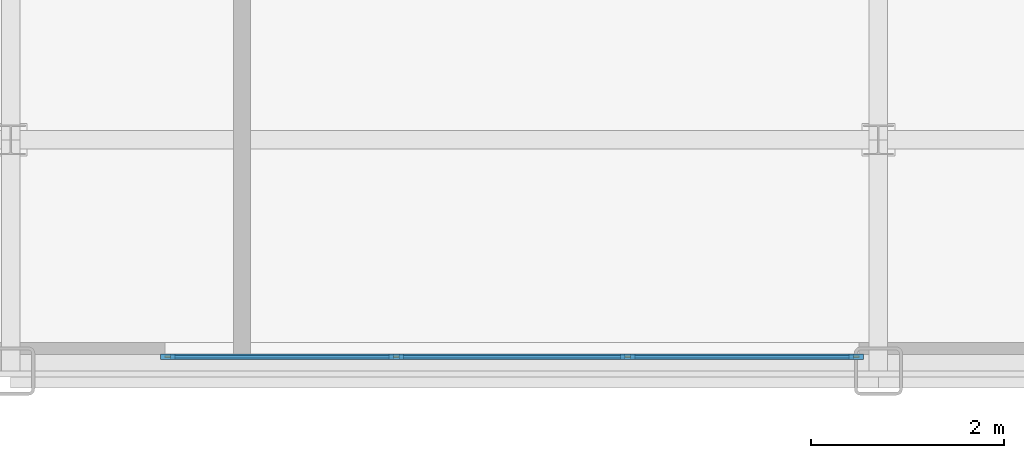
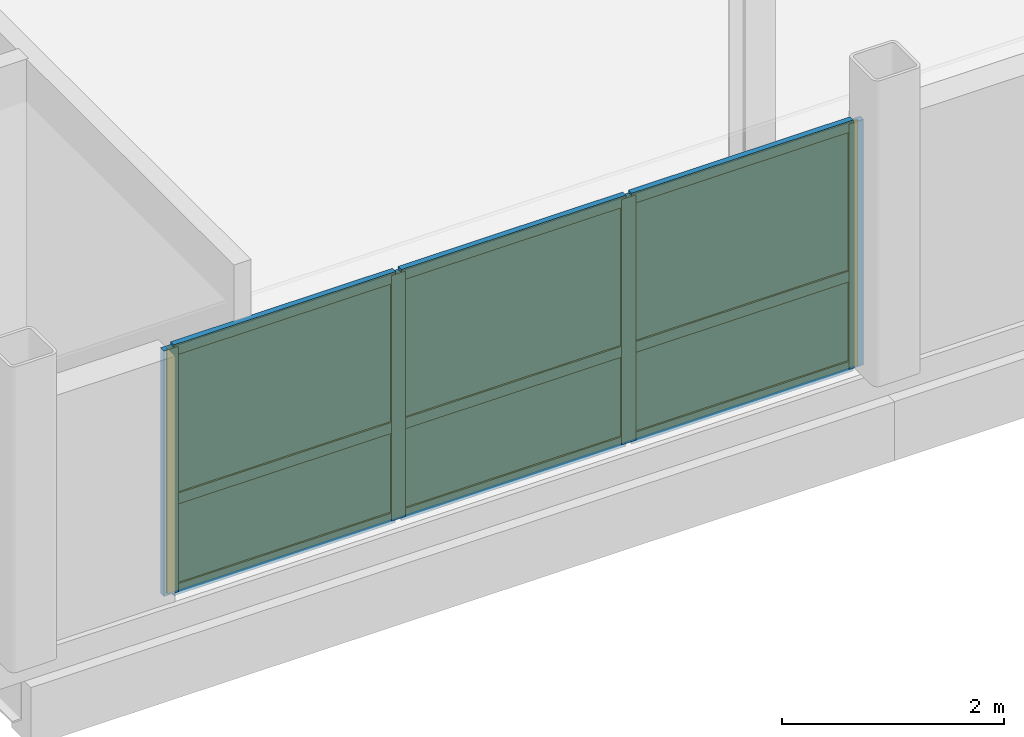
# One storey, part 9 of 16: 13 members, 6 plates, 1 curtain wall.
"""IFC4 building model written with IfcOpenShell, lengths in metres."""

from ifc_helpers import new_model, si_unit, direction, frame, frame_2d, origin, origin_2d, place, context, subcontext, project, spatial, rectangle, extrude, source, transform, mapped, material, layer, layer_set, material_profile, profile_set, type_object, type_shapes, element, aggregate, save


model = new_model("IFC4")

# Units and contexts
model_context = context("Model", 3, precision=1e-05, world=origin(), true_north=direction((0.0, 1.0)))
body_context = subcontext(model_context, "Body", "Model", "MODEL_VIEW")
ifc_project = project(units=[si_unit("LENGTHUNIT", "METRE"), si_unit("AREAUNIT", "SQUARE_METRE"), si_unit("VOLUMEUNIT", "CUBIC_METRE"), si_unit("PLANEANGLEUNIT", "RADIAN"), si_unit("MASSUNIT", "GRAM", prefix="KILO")], contexts=[model_context])

# Member
ifc_material_1 = material(Name="Anodised aluminium 6063-T6", Category="aluminium")
ifc_material_profile_1 = material_profile(ifc_material_1, rectangle(XDim=0.06005859375, YDim=0.14990234375, at=origin_2d()), Name="ALU-MULL-60x150")
ifc_profile_set_1 = profile_set([ifc_material_profile_1], Name="Anodised aluminium 6063-T6")
member_type_1 = type_object("IfcMemberType", Name="CWM-4", PredefinedType="MULLION", material=ifc_profile_set_1)
site_placement = place(None, origin())
building_placement = place(site_placement, origin())
storey_placement = place(building_placement, frame((0.0, 0.0, 227.39990234375)))
member_1_placement = place(storey_placement, frame((-7.3701171875, -19.25, 0.0), z_axis=(0.0, 0.0, 1.0), x_axis=(0.0, 1.0, 0.0)))
member_1 = element("IfcMember", 1, at=member_1_placement, type_object=member_type_1, Name="CWS-4 mullion 1", PredefinedType="MULLION", context=body_context, shape_type="SweptSolid", body=[
    extrude(rectangle(XDim=0.06005859375, YDim=0.14990234375, at=origin_2d()), origin(), (0.0, 0.0, 1.0), 2.705078125),
])

member_2_placement = place(storey_placement, frame((-5.0, -19.25, 0.0), z_axis=(0.0, 0.0, 1.0), x_axis=(0.0, 1.0, 0.0)))
member_2 = element("IfcMember", 2, at=member_2_placement, type_object=member_type_1, Name="CWS-4 mullion 2", PredefinedType="MULLION", context=body_context, shape_type="SweptSolid", body=[
    extrude(rectangle(XDim=0.06005859375, YDim=0.14990234375, at=origin_2d()), origin(), (0.0, 0.0, 1.0), 2.705078125),
])

member_3_placement = place(storey_placement, frame((-2.60009765625, -19.25, 0.0), z_axis=(0.0, 0.0, 1.0), x_axis=(0.0, 1.0, 0.0)))
member_3 = element("IfcMember", 3, at=member_3_placement, type_object=member_type_1, Name="CWS-4 mullion 3", PredefinedType="MULLION", context=body_context, shape_type="SweptSolid", body=[
    extrude(rectangle(XDim=0.06005859375, YDim=0.14990234375, at=origin_2d()), origin(), (0.0, 0.0, 1.0), 2.705078125),
])

member_4_placement = place(storey_placement, frame((-0.22998046875, -19.25, 0.0), z_axis=(0.0, 0.0, 1.0), x_axis=(0.0, 1.0, 0.0)))
member_4 = element("IfcMember", 4, at=member_4_placement, type_object=member_type_1, Name="CWS-4 mullion 4", PredefinedType="MULLION", context=body_context, shape_type="SweptSolid", body=[
    extrude(rectangle(XDim=0.06005859375, YDim=0.14990234375, at=origin_2d()), origin(), (0.0, 0.0, 1.0), 2.705078125),
])

ifc_material_profile_2 = material_profile(ifc_material_1, rectangle(XDim=0.06005859375, YDim=0.1201171875, at=origin_2d()), Name="ALU-TRAN-60x120")
ifc_profile_set_2 = profile_set([ifc_material_profile_2], Name="Anodised aluminium 6063-T6")
member_type_2 = type_object("IfcMemberType", Name="CWT-4", PredefinedType="USERDEFINED", material=ifc_profile_set_2)
member_5_placement = place(storey_placement, frame((-7.340087890625, -19.25, 0.030029296875), z_axis=(1.0, 0.0, 0.0), x_axis=(0.0, 1.0, 0.0)))
member_5 = element("IfcMember", 5, at=member_5_placement, type_object=member_type_2, Name="CWS-4 transom 1.1", ObjectType="TRANSOM", PredefinedType="USERDEFINED", context=body_context, shape_type="SweptSolid", body=[
    extrude(rectangle(XDim=0.06005859375, YDim=0.1201171875, at=origin_2d()), origin(), (0.0, 0.0, 1.0), 2.31005859375),
])

member_6_placement = place(storey_placement, frame((-7.340087890625, -19.25, 1.028076171875), z_axis=(1.0, 0.0, 0.0), x_axis=(0.0, 1.0, 0.0)))
member_6 = element("IfcMember", 6, at=member_6_placement, type_object=member_type_2, Name="CWS-4 transom 1.2", ObjectType="TRANSOM", PredefinedType="USERDEFINED", context=body_context, shape_type="SweptSolid", body=[
    extrude(rectangle(XDim=0.06005859375, YDim=0.1201171875, at=origin_2d()), origin(), (0.0, 0.0, 1.0), 2.31005859375),
])

member_7_placement = place(storey_placement, frame((-7.340087890625, -19.25, 2.675048828125), z_axis=(1.0, 0.0, 0.0), x_axis=(0.0, 1.0, 0.0)))
member_7 = element("IfcMember", 7, at=member_7_placement, type_object=member_type_2, Name="CWS-4 transom 1.3", ObjectType="TRANSOM", PredefinedType="USERDEFINED", context=body_context, shape_type="SweptSolid", body=[
    extrude(rectangle(XDim=0.06005859375, YDim=0.1201171875, at=origin_2d()), origin(), (0.0, 0.0, 1.0), 2.31005859375),
])

member_8_placement = place(storey_placement, frame((-4.969970703125, -19.25, 0.030029296875), z_axis=(1.0, 0.0, 0.0), x_axis=(0.0, 1.0, 0.0)))
member_8 = element("IfcMember", 8, at=member_8_placement, type_object=member_type_2, Name="CWS-4 transom 2.1", ObjectType="TRANSOM", PredefinedType="USERDEFINED", context=body_context, shape_type="SweptSolid", body=[
    extrude(rectangle(XDim=0.06005859375, YDim=0.1201171875, at=origin_2d()), origin(), (0.0, 0.0, 1.0), 2.340087890625),
])

member_9_placement = place(storey_placement, frame((-4.969970703125, -19.25, 1.028076171875), z_axis=(1.0, 0.0, 0.0), x_axis=(0.0, 1.0, 0.0)))
member_9 = element("IfcMember", 9, at=member_9_placement, type_object=member_type_2, Name="CWS-4 transom 2.2", ObjectType="TRANSOM", PredefinedType="USERDEFINED", context=body_context, shape_type="SweptSolid", body=[
    extrude(rectangle(XDim=0.06005859375, YDim=0.1201171875, at=origin_2d()), origin(), (0.0, 0.0, 1.0), 2.340087890625),
])

member_10_placement = place(storey_placement, frame((-4.969970703125, -19.25, 2.675048828125), z_axis=(1.0, 0.0, 0.0), x_axis=(0.0, 1.0, 0.0)))
member_10 = element("IfcMember", 10, at=member_10_placement, type_object=member_type_2, Name="CWS-4 transom 2.3", ObjectType="TRANSOM", PredefinedType="USERDEFINED", context=body_context, shape_type="SweptSolid", body=[
    extrude(rectangle(XDim=0.06005859375, YDim=0.1201171875, at=origin_2d()), origin(), (0.0, 0.0, 1.0), 2.340087890625),
])

member_11_placement = place(storey_placement, frame((-2.570068359375, -19.25, 0.030029296875), z_axis=(1.0, 0.0, 0.0), x_axis=(0.0, 1.0, 0.0)))
member_11 = element("IfcMember", 11, at=member_11_placement, type_object=member_type_2, Name="CWS-4 transom 3.1", ObjectType="TRANSOM", PredefinedType="USERDEFINED", context=body_context, shape_type="SweptSolid", body=[
    extrude(rectangle(XDim=0.06005859375, YDim=0.1201171875, at=origin_2d()), origin(), (0.0, 0.0, 1.0), 2.31005859375),
])

member_12_placement = place(storey_placement, frame((-2.570068359375, -19.25, 1.028076171875), z_axis=(1.0, 0.0, 0.0), x_axis=(0.0, 1.0, 0.0)))
member_12 = element("IfcMember", 12, at=member_12_placement, type_object=member_type_2, Name="CWS-4 transom 3.2", ObjectType="TRANSOM", PredefinedType="USERDEFINED", context=body_context, shape_type="SweptSolid", body=[
    extrude(rectangle(XDim=0.06005859375, YDim=0.1201171875, at=origin_2d()), origin(), (0.0, 0.0, 1.0), 2.31005859375),
])

member_13_placement = place(storey_placement, frame((-2.570068359375, -19.25, 2.675048828125), z_axis=(1.0, 0.0, 0.0), x_axis=(0.0, 1.0, 0.0)))
member_13 = element("IfcMember", 13, at=member_13_placement, type_object=member_type_2, Name="CWS-4 transom 3.3", ObjectType="TRANSOM", PredefinedType="USERDEFINED", context=body_context, shape_type="SweptSolid", body=[
    extrude(rectangle(XDim=0.06005859375, YDim=0.1201171875, at=origin_2d()), origin(), (0.0, 0.0, 1.0), 2.31005859375),
])

# Plate
ifc_material_2 = material(Name="Insulated solar-control glass", Category="glass")
ifc_layer_1 = layer(ifc_material_2, 0.02587890625, Name="CWP-4")
ifc_layer_set_1 = layer_set([ifc_layer_1], Name="Insulated solar-control glass")
plate_type = type_object("IfcPlateType", Name="CWP-4", PredefinedType="CURTAIN_PANEL", material=ifc_layer_set_1)
shared_shape_1 = source(origin(), body_context, "Body", "SweptSolid", [
    extrude(rectangle(XDim=2.31005859375, YDim=0.02587890625, at=origin_2d()), origin(), (0.0, 0.0, 1.0), 0.93798828125),
])
plate_1_placement = place(storey_placement, frame((-6.18505859375, -19.25, 0.06005859375), z_axis=(0.0, 0.0, 1.0), x_axis=(1.0, 0.0, 0.0)))
plate_1 = element("IfcPlate", 14, at=plate_1_placement, type_object=plate_type, Name="CWS-4 panel 1.1", PredefinedType="CURTAIN_PANEL", context=body_context, shape_type="MappedRepresentation", body=[
    mapped(shared_shape_1, transform((0.0, 0.0, 0.0), scale=1.0)),
])

plate_2_placement = place(storey_placement, frame((-1.4150390625, -19.25, 0.06005859375), z_axis=(0.0, 0.0, 1.0), x_axis=(1.0, 0.0, 0.0)))
plate_2 = element("IfcPlate", 15, at=plate_2_placement, type_object=plate_type, Name="CWS-4 panel 3.1", PredefinedType="CURTAIN_PANEL", context=body_context, shape_type="MappedRepresentation", body=[
    mapped(shared_shape_1, transform((0.0, 0.0, 0.0), scale=1.0)),
])

shared_shape_2 = source(origin(), body_context, "Body", "SweptSolid", [
    extrude(rectangle(XDim=2.31005859375, YDim=0.02587890625, at=origin_2d()), origin(), (0.0, 0.0, 1.0), 1.587158203125),
])
plate_3_placement = place(storey_placement, frame((-6.18505859375, -19.25, 1.05810546875), z_axis=(0.0, 0.0, 1.0), x_axis=(1.0, 0.0, 0.0)))
plate_3 = element("IfcPlate", 16, at=plate_3_placement, type_object=plate_type, Name="CWS-4 panel 1.2", PredefinedType="CURTAIN_PANEL", context=body_context, shape_type="MappedRepresentation", body=[
    mapped(shared_shape_2, transform((0.0, 0.0, 0.0), scale=1.0)),
])

plate_4_placement = place(storey_placement, frame((-1.4150390625, -19.25, 1.05810546875), z_axis=(0.0, 0.0, 1.0), x_axis=(1.0, 0.0, 0.0)))
plate_4 = element("IfcPlate", 17, at=plate_4_placement, type_object=plate_type, Name="CWS-4 panel 3.2", PredefinedType="CURTAIN_PANEL", context=body_context, shape_type="MappedRepresentation", body=[
    mapped(shared_shape_2, transform((0.0, 0.0, 0.0), scale=1.0)),
])

shared_shape_3 = source(origin(), body_context, "Body", "SweptSolid", [
    extrude(rectangle(XDim=2.340087890625, YDim=0.02587890625, at=origin_2d()), origin(), (0.0, 0.0, 1.0), 0.93798828125),
])
plate_5_placement = place(storey_placement, frame((-3.800048828125, -19.25, 0.06005859375), z_axis=(0.0, 0.0, 1.0), x_axis=(1.0, 0.0, 0.0)))
plate_5 = element("IfcPlate", 18, at=plate_5_placement, type_object=plate_type, Name="CWS-4 panel 2.1", PredefinedType="CURTAIN_PANEL", context=body_context, shape_type="MappedRepresentation", body=[
    mapped(shared_shape_3, transform((0.0, 0.0, 0.0), scale=1.0)),
])

shared_shape_4 = source(origin(), body_context, "Body", "SweptSolid", [
    extrude(rectangle(XDim=2.340087890625, YDim=0.02587890625, at=origin_2d()), origin(), (0.0, 0.0, 1.0), 1.587158203125),
])
type_shapes(plate_type, [shared_shape_1, shared_shape_2, shared_shape_3, shared_shape_4])
plate_6_placement = place(storey_placement, frame((-3.800048828125, -19.25, 1.05810546875), z_axis=(0.0, 0.0, 1.0), x_axis=(1.0, 0.0, 0.0)))
plate_6 = element("IfcPlate", 19, at=plate_6_placement, type_object=plate_type, Name="CWS-4 panel 2.2", PredefinedType="CURTAIN_PANEL", context=body_context, shape_type="MappedRepresentation", body=[
    mapped(shared_shape_4, transform((0.0, 0.0, 0.0), scale=1.0)),
])

# Site, building, storey
site = spatial("IfcSite", under=ifc_project, at=site_placement, CompositionType="ELEMENT")
building = spatial("IfcBuilding", under=site, at=building_placement, Name="Nuvemarco Arch Tower", CompositionType="ELEMENT")
storey = spatial("IfcBuildingStorey", under=building, at=storey_placement, Name="L60", CompositionType="ELEMENT", Elevation=227.39990234375)

# Curtain wall
ifc_layer_2 = layer(ifc_material_2, 0.14990234375, Name="CW-SYS-4")
ifc_layer_set_2 = layer_set([ifc_layer_2], Name="Insulated solar-control glass")
curtain_wall_type = type_object("IfcCurtainWallType", Name="CW-SYS-4", PredefinedType="NOTDEFINED", material=ifc_layer_set_2)
curtain_wall_placement = place(storey_placement, frame((-7.39990234375, -19.25, 0.0), z_axis=(0.0, 0.0, 1.0), x_axis=(1.0, 0.0, 0.0)))
curtain_wall = element("IfcCurtainWall", 20, at=curtain_wall_placement, inside=storey, type_object=curtain_wall_type, Name="L60 curtain wall CWS-4", PredefinedType="NOTDEFINED", context=body_context, shape_type="SweptSolid", body=[
    extrude(rectangle(XDim=7.199951171875, YDim=0.02001953125, at=frame_2d((3.60009765625, 0.0))), origin(), (0.0, 0.0, 1.0), 2.705078125),
])

aggregate(curtain_wall, [member_1, member_2, member_3, member_4, member_5, member_6, member_7, plate_1, plate_3, member_8, member_9, member_10, plate_5, plate_6, member_11, member_12, member_13, plate_2, plate_4])

save(model, "model.ifc")
